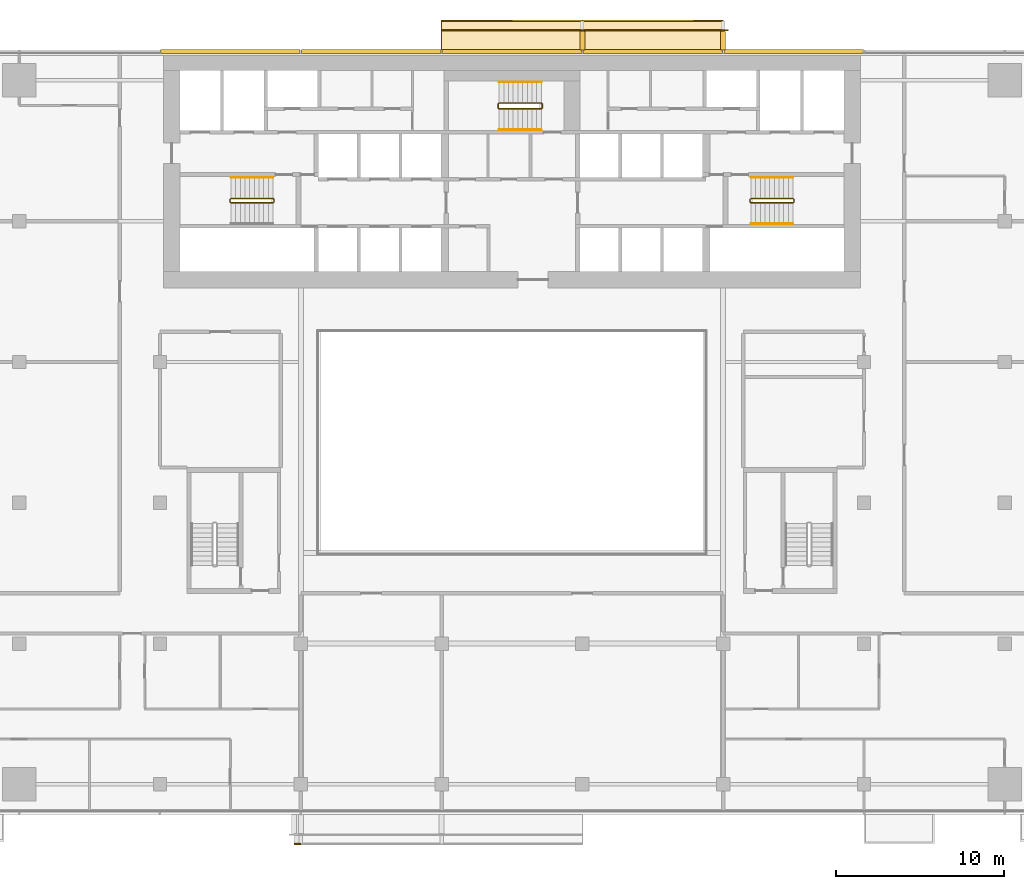
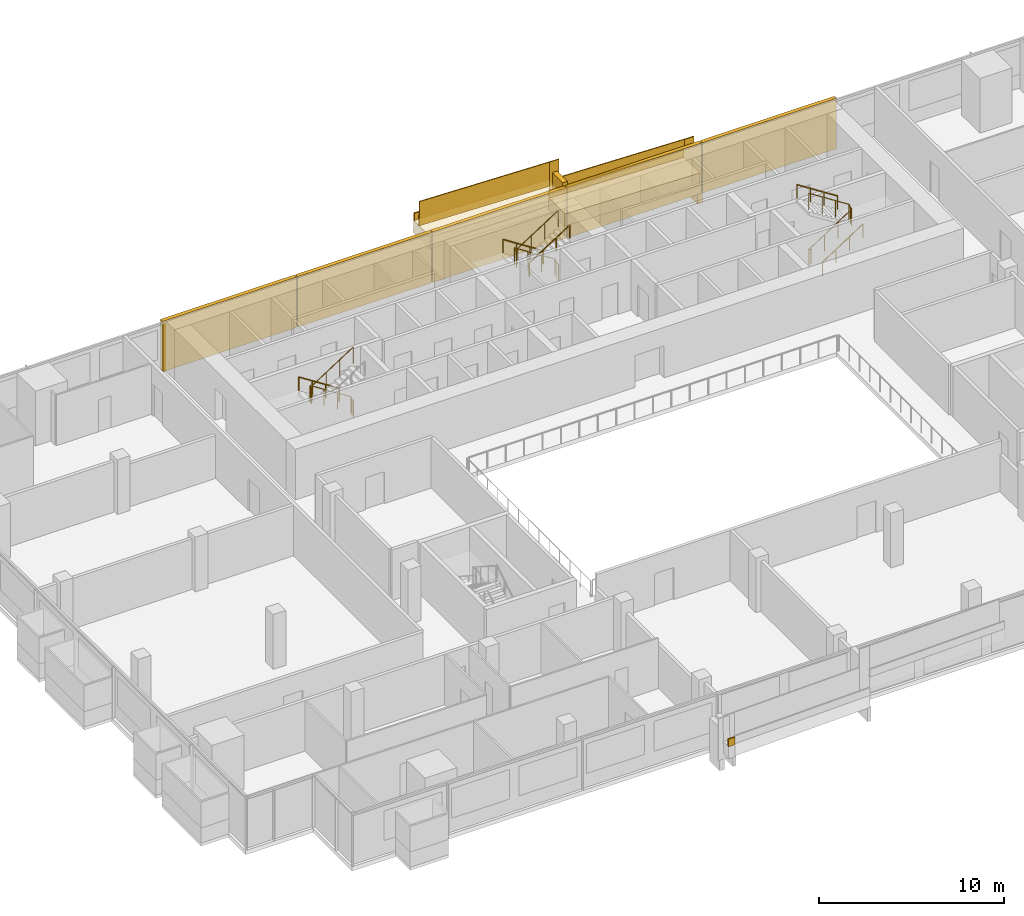
# One storey, part 26 of 26: 12 coverings, 12 railings.
"""IFC4 building model written with IfcOpenShell, lengths in metres."""

from ifc_helpers import new_model, si_unit, direction, frame, origin, origin_2d, place, context, subcontext, project, spatial, polyline, rectangle, circle, outline, extrude, material, layer, layer_set, type_object, element, save


model = new_model("IFC4")

# Units and contexts
model_context = context("Model", 3, precision=1e-05, world=origin(), true_north=direction((0.0, 1.0)))
body_context = subcontext(model_context, "Body", "Model", "MODEL_VIEW")
ifc_project = project(units=[si_unit("LENGTHUNIT", "METRE"), si_unit("AREAUNIT", "SQUARE_METRE"), si_unit("VOLUMEUNIT", "CUBIC_METRE"), si_unit("PLANEANGLEUNIT", "RADIAN"), si_unit("MASSUNIT", "GRAM", prefix="KILO")], contexts=[model_context])

# Site, building, storey
site_placement = place(None, origin())
site = spatial("IfcSite", under=ifc_project, at=site_placement, CompositionType="ELEMENT")
building_placement = place(site_placement, origin())
building = spatial("IfcBuilding", under=site, at=building_placement, Name="Saffron Gate Tower", CompositionType="ELEMENT")
storey_placement = place(building_placement, frame((0.0, 0.0, 98.85009765625)))
storey = spatial("IfcBuildingStorey", under=building, at=storey_placement, Name="L22", CompositionType="ELEMENT", Elevation=98.85009765625)

# Coverings
ifc_material_1 = material(Name="Ceramic-printed bronze insulated panel")
ifc_layer_1 = layer(ifc_material_1, 0.239990234375)
ifc_layer_set_1 = layer_set([ifc_layer_1], Name="CLD2 ceramic-printed cladding panel 240")
covering_type_1 = type_object("IfcCoveringType", Name="CLD2 ceramic-printed cladding panel 240", PredefinedType="CLADDING", material=ifc_layer_set_1)
covering_1_placement = place(storey_placement, origin())
element("IfcCovering", 1, at=covering_1_placement, inside=storey, type_object=covering_type_1, Name="CLADDING ceramic-printed panel", PredefinedType="CLADDING", context=body_context, shape_type="SweptSolid", body=[
    extrude(outline(polyline([(108.56494140625, 75.639892578125), (100.235107421875, 75.639892578125), (100.235107421875, 75.39990234375), (108.56494140625, 75.39990234375), (108.56494140625, 75.639892578125)])), origin(), (0.0, 0.0, 1.0), 3.31982421875),
])
covering_2_placement = place(storey_placement, origin())
element("IfcCovering", 2, at=covering_2_placement, inside=storey, type_object=covering_type_1, Name="CLADDING ceramic-printed panel", PredefinedType="CLADDING", context=body_context, shape_type="SweptSolid", body=[
    extrude(outline(polyline([(100.1650390625, 75.639892578125), (91.8349609375, 75.639892578125), (91.8349609375, 75.39990234375), (100.1650390625, 75.39990234375), (100.1650390625, 75.639892578125)])), origin(), (0.0, 0.0, 1.0), 3.31982421875),
])
covering_3_placement = place(storey_placement, origin())
element("IfcCovering", 3, at=covering_3_placement, inside=storey, type_object=covering_type_1, Name="CLADDING ceramic-printed panel", PredefinedType="CLADDING", context=body_context, shape_type="SweptSolid", body=[
    extrude(outline(polyline([(91.764892578125, 75.639892578125), (83.43505859375, 75.639892578125), (83.43505859375, 75.39990234375), (91.764892578125, 75.39990234375), (91.764892578125, 75.639892578125)])), origin(), (0.0, 0.0, 1.0), 3.31982421875),
])
covering_4_placement = place(storey_placement, origin())
element("IfcCovering", 4, at=covering_4_placement, inside=storey, type_object=covering_type_1, Name="CLADDING ceramic-printed panel", PredefinedType="CLADDING", context=body_context, shape_type="SweptSolid", body=[
    extrude(outline(polyline([(83.364990234375, 75.639892578125), (75.034912109375, 75.639892578125), (75.034912109375, 75.39990234375), (83.364990234375, 75.39990234375), (83.364990234375, 75.639892578125)])), origin(), (0.0, 0.0, 1.0), 3.31982421875),
])
covering_5_placement = place(storey_placement, origin())
element("IfcCovering", 5, at=covering_5_placement, inside=storey, type_object=covering_type_1, Name="CLADDING ceramic-printed panel", PredefinedType="CLADDING", context=body_context, shape_type="SweptSolid", body=[
    extrude(outline(polyline([(74.965087890625, 75.639892578125), (66.635009765625, 75.639892578125), (66.635009765625, 75.39990234375), (74.965087890625, 75.39990234375), (74.965087890625, 75.639892578125)])), origin(), (0.0, 0.0, 1.0), 3.31982421875),
])

# Railings
ifc_material_2 = material(Name="Stainless steel and laminated glass", Category="steel")
railing_type_1 = type_object("IfcRailingType", Name="CR1 Stair guard 1100", PredefinedType="GUARDRAIL", material=ifc_material_2)
railing_1_placement = place(storey_placement, frame((73.39990234375, 66.550048828125, 0.0)))
element("IfcRailing", 6, at=railing_1_placement, inside=storey, type_object=railing_type_1, Name="L22 ST-A stair guard 1", PredefinedType="GUARDRAIL", context=body_context, shape_type="SweptSolid", body=[
    extrude(circle(Radius=0.02392578125, at=origin_2d()), frame((0.0, 0.0, 1.076171875), z_axis=(0.0, 1.0, 0.0), x_axis=(-1.0, 0.0, 0.0)), (0.0, 0.0, 1.0), 0.14990234375),
    extrude(circle(Radius=0.02392578125, at=origin_2d()), frame((0.0, 0.14990234375, 1.076171875), z_axis=(-0.257669022063, 0.258932105505, 0.930892496375), x_axis=(-0.708833529934, -0.705375805398, 0.0)), (0.0, 0.0, 1.0), 0.193359375),
    extrude(circle(Radius=0.02392578125, at=origin_2d()), frame((-0.0498046875, 0.199951171875, 1.255859375), z_axis=(-0.841199657755, 0.0, 0.540724639528), x_axis=(0.0, -1.0, 0.0)), (0.0, 0.0, 1.0), 2.995849609375),
    extrude(circle(Radius=0.02392578125, at=origin_2d()), frame((-2.56982421875, 0.199951171875, 2.8759765625), z_axis=(-0.707106781187, -0.707106781187, 0.0), x_axis=(0.707106781187, -0.707106781187, 0.0)), (0.0, 0.0, 1.0), 0.07080078125),
    extrude(circle(Radius=0.02392578125, at=origin_2d()), frame((-2.619873046875, 0.14990234375, 2.8759765625), z_axis=(0.0, -1.0, 0.0), x_axis=(1.0, 0.0, 0.0)), (0.0, 0.0, 1.0), 0.14990234375),
    extrude(circle(Radius=0.02392578125, at=origin_2d()), frame((-2.619873046875, 0.0, 2.8759765625), z_axis=(0.258543844998, -0.258543844998, 0.930757841991), x_axis=(0.707106781187, 0.707106781187, 0.0)), (0.0, 0.0, 1.0), 0.193603515625),
    extrude(circle(Radius=0.02392578125, at=origin_2d()), frame((-2.56982421875, -0.050048828125, 3.05615234375), z_axis=(0.841199657755, 0.0, 0.540724639528), x_axis=(0.0, 1.0, 0.0)), (0.0, 0.0, 1.0), 2.995849609375),
    extrude(circle(Radius=0.02099609375, at=origin_2d()), origin(), (0.0, 0.0, 1.0), 1.052001953125),
    extrude(circle(Radius=0.02099609375, at=origin_2d()), frame((0.0, 0.14990234375, 0.0)), (0.0, 0.0, 1.0), 1.052001953125),
    extrude(circle(Radius=0.02099609375, at=origin_2d()), frame((-0.0498046875, 0.199951171875, 0.179931640625)), (0.0, 0.0, 1.0), 1.052001953125),
    extrude(circle(Radius=0.02099609375, at=origin_2d()), frame((-0.889892578125, 0.199951171875, 0.719970703125)), (0.0, 0.0, 1.0), 1.052001953125),
    extrude(circle(Radius=0.02099609375, at=origin_2d()), frame((-1.729736328125, 0.199951171875, 1.259765625)), (0.0, 0.0, 1.0), 1.052001953125),
    extrude(circle(Radius=0.02099609375, at=origin_2d()), frame((-2.56982421875, 0.199951171875, 1.7998046875)), (0.0, 0.0, 1.0), 1.052001953125),
    extrude(circle(Radius=0.02099609375, at=origin_2d()), frame((-2.619873046875, 0.14990234375, 1.7998046875)), (0.0, 0.0, 1.0), 1.052001953125),
    extrude(circle(Radius=0.02099609375, at=origin_2d()), frame((-2.619873046875, 0.0, 1.7998046875)), (0.0, 0.0, 1.0), 1.052001953125),
    extrude(circle(Radius=0.02099609375, at=origin_2d()), frame((-2.56982421875, -0.050048828125, 1.97998046875)), (0.0, 0.0, 1.0), 1.052001953125),
    extrude(circle(Radius=0.02099609375, at=origin_2d()), frame((-1.729736328125, -0.050048828125, 2.52001953125)), (0.0, 0.0, 1.0), 1.052001953125),
    extrude(circle(Radius=0.02099609375, at=origin_2d()), frame((-0.889892578125, -0.050048828125, 3.059814453125)), (0.0, 0.0, 1.0), 1.052001953125),
    extrude(circle(Radius=0.02099609375, at=origin_2d()), frame((-0.0498046875, -0.050048828125, 3.599853515625)), (0.0, 0.0, 1.0), 1.052001953125),
])
railing_2_placement = place(storey_placement, frame((101.800048828125, 66.699951171875, 0.0)))
element("IfcRailing", 7, at=railing_2_placement, inside=storey, type_object=railing_type_1, Name="L22 ST-B stair guard 1", PredefinedType="GUARDRAIL", context=body_context, shape_type="SweptSolid", body=[
    extrude(circle(Radius=0.02392578125, at=origin_2d()), frame((0.0, 0.0, 1.076171875), z_axis=(0.0, -1.0, 0.0), x_axis=(1.0, 0.0, 0.0)), (0.0, 0.0, 1.0), 0.14990234375),
    extrude(circle(Radius=0.02392578125, at=origin_2d()), frame((0.0, -0.14990234375, 1.076171875), z_axis=(0.258847668887, -0.258847668887, 0.930588936439), x_axis=(0.707106781187, 0.707106781187, 0.0)), (0.0, 0.0, 1.0), 0.193359375),
    extrude(circle(Radius=0.02392578125, at=origin_2d()), frame((0.050048828125, -0.199951171875, 1.255859375), z_axis=(0.841199657755, 0.0, 0.540724639528), x_axis=(0.0, 1.0, 0.0)), (0.0, 0.0, 1.0), 2.995849609375),
    extrude(circle(Radius=0.02392578125, at=origin_2d()), frame((2.570068359375, -0.199951171875, 2.8759765625), z_axis=(0.705375805398, 0.708833529934, 0.0), x_axis=(-0.708833529934, 0.705375805398, 0.0)), (0.0, 0.0, 1.0), 0.070556640625),
    extrude(circle(Radius=0.02392578125, at=origin_2d()), frame((2.619873046875, -0.14990234375, 2.8759765625), z_axis=(0.0, 1.0, 0.0), x_axis=(-1.0, 0.0, 0.0)), (0.0, 0.0, 1.0), 0.14990234375),
    extrude(circle(Radius=0.02392578125, at=origin_2d()), frame((2.619873046875, 0.0, 2.8759765625), z_axis=(-0.257366384619, 0.258627984543, 0.931060744355), x_axis=(-0.708833529934, -0.705375805398, 0.0)), (0.0, 0.0, 1.0), 0.193603515625),
    extrude(circle(Radius=0.02392578125, at=origin_2d()), frame((2.570068359375, 0.050048828125, 3.05615234375), z_axis=(-0.841199657755, 0.0, 0.540724639528), x_axis=(0.0, -1.0, 0.0)), (0.0, 0.0, 1.0), 2.995849609375),
    extrude(circle(Radius=0.02099609375, at=origin_2d()), origin(), (0.0, 0.0, 1.0), 1.052001953125),
    extrude(circle(Radius=0.02099609375, at=origin_2d()), frame((0.0, -0.14990234375, 0.0)), (0.0, 0.0, 1.0), 1.052001953125),
    extrude(circle(Radius=0.02099609375, at=origin_2d()), frame((0.050048828125, -0.199951171875, 0.179931640625)), (0.0, 0.0, 1.0), 1.052001953125),
    extrude(circle(Radius=0.02099609375, at=origin_2d()), frame((0.89013671875, -0.199951171875, 0.719970703125)), (0.0, 0.0, 1.0), 1.052001953125),
    extrude(circle(Radius=0.02099609375, at=origin_2d()), frame((1.72998046875, -0.199951171875, 1.259765625)), (0.0, 0.0, 1.0), 1.052001953125),
    extrude(circle(Radius=0.02099609375, at=origin_2d()), frame((2.570068359375, -0.199951171875, 1.7998046875)), (0.0, 0.0, 1.0), 1.052001953125),
    extrude(circle(Radius=0.02099609375, at=origin_2d()), frame((2.619873046875, -0.14990234375, 1.7998046875)), (0.0, 0.0, 1.0), 1.052001953125),
    extrude(circle(Radius=0.02099609375, at=origin_2d()), frame((2.619873046875, 0.0, 1.7998046875)), (0.0, 0.0, 1.0), 1.052001953125),
    extrude(circle(Radius=0.02099609375, at=origin_2d()), frame((2.570068359375, 0.050048828125, 1.97998046875)), (0.0, 0.0, 1.0), 1.052001953125),
    extrude(circle(Radius=0.02099609375, at=origin_2d()), frame((1.72998046875, 0.050048828125, 2.52001953125)), (0.0, 0.0, 1.0), 1.052001953125),
    extrude(circle(Radius=0.02099609375, at=origin_2d()), frame((0.89013671875, 0.050048828125, 3.059814453125)), (0.0, 0.0, 1.0), 1.052001953125),
    extrude(circle(Radius=0.02099609375, at=origin_2d()), frame((0.050048828125, 0.050048828125, 3.599853515625)), (0.0, 0.0, 1.0), 1.052001953125),
])
railing_3_placement = place(storey_placement, frame((89.39990234375, 72.14990234375, 0.0)))
element("IfcRailing", 8, at=railing_3_placement, inside=storey, type_object=railing_type_1, Name="L22 ST-C stair guard 1", PredefinedType="GUARDRAIL", context=body_context, shape_type="SweptSolid", body=[
    extrude(circle(Radius=0.02392578125, at=origin_2d()), frame((0.0, 0.0, 1.076171875), z_axis=(0.0, 1.0, 0.0), x_axis=(-1.0, 0.0, 0.0)), (0.0, 0.0, 1.0), 0.25),
    extrude(circle(Radius=0.02392578125, at=origin_2d()), frame((0.0, 0.25, 1.076171875), z_axis=(-0.257669022063, 0.258932105505, 0.930892496375), x_axis=(-0.708833529934, -0.705375805398, 0.0)), (0.0, 0.0, 1.0), 0.193359375),
    extrude(circle(Radius=0.02392578125, at=origin_2d()), frame((-0.0498046875, 0.300048828125, 1.255859375), z_axis=(-0.841199657755, 0.0, 0.540724639528), x_axis=(0.0, -1.0, 0.0)), (0.0, 0.0, 1.0), 2.995849609375),
    extrude(circle(Radius=0.02392578125, at=origin_2d()), frame((-2.56982421875, 0.300048828125, 2.8759765625), z_axis=(-0.707106781187, -0.707106781187, 0.0), x_axis=(0.707106781187, -0.707106781187, 0.0)), (0.0, 0.0, 1.0), 0.07080078125),
    extrude(circle(Radius=0.02392578125, at=origin_2d()), frame((-2.619873046875, 0.25, 2.8759765625), z_axis=(0.0, -1.0, 0.0), x_axis=(1.0, 0.0, 0.0)), (0.0, 0.0, 1.0), 0.25),
    extrude(circle(Radius=0.02392578125, at=origin_2d()), frame((-2.619873046875, 0.0, 2.8759765625), z_axis=(0.258627984543, -0.257366384619, 0.931060744355), x_axis=(0.705375805398, 0.708833529934, 0.0)), (0.0, 0.0, 1.0), 0.193603515625),
    extrude(circle(Radius=0.02392578125, at=origin_2d()), frame((-2.56982421875, -0.0498046875, 3.05615234375), z_axis=(0.841199657755, 0.0, 0.540724639528), x_axis=(0.0, 1.0, 0.0)), (0.0, 0.0, 1.0), 2.995849609375),
    extrude(circle(Radius=0.02099609375, at=origin_2d()), origin(), (0.0, 0.0, 1.0), 1.052001953125),
    extrude(circle(Radius=0.02099609375, at=origin_2d()), frame((0.0, 0.25, 0.0)), (0.0, 0.0, 1.0), 1.052001953125),
    extrude(circle(Radius=0.02099609375, at=origin_2d()), frame((-0.0498046875, 0.300048828125, 0.179931640625)), (0.0, 0.0, 1.0), 1.052001953125),
    extrude(circle(Radius=0.02099609375, at=origin_2d()), frame((-0.889892578125, 0.300048828125, 0.719970703125)), (0.0, 0.0, 1.0), 1.052001953125),
    extrude(circle(Radius=0.02099609375, at=origin_2d()), frame((-1.729736328125, 0.300048828125, 1.259765625)), (0.0, 0.0, 1.0), 1.052001953125),
    extrude(circle(Radius=0.02099609375, at=origin_2d()), frame((-2.56982421875, 0.300048828125, 1.7998046875)), (0.0, 0.0, 1.0), 1.052001953125),
    extrude(circle(Radius=0.02099609375, at=origin_2d()), frame((-2.619873046875, 0.25, 1.7998046875)), (0.0, 0.0, 1.0), 1.052001953125),
    extrude(circle(Radius=0.02099609375, at=origin_2d()), frame((-2.619873046875, 0.0, 1.7998046875)), (0.0, 0.0, 1.0), 1.052001953125),
    extrude(circle(Radius=0.02099609375, at=origin_2d()), frame((-2.56982421875, -0.0498046875, 1.97998046875)), (0.0, 0.0, 1.0), 1.052001953125),
    extrude(circle(Radius=0.02099609375, at=origin_2d()), frame((-1.729736328125, -0.0498046875, 2.52001953125)), (0.0, 0.0, 1.0), 1.052001953125),
    extrude(circle(Radius=0.02099609375, at=origin_2d()), frame((-0.889892578125, -0.0498046875, 3.059814453125)), (0.0, 0.0, 1.0), 1.052001953125),
    extrude(circle(Radius=0.02099609375, at=origin_2d()), frame((-0.0498046875, -0.0498046875, 3.599853515625)), (0.0, 0.0, 1.0), 1.052001953125),
])
ifc_material_3 = material(Name="Stainless steel", Category="steel")
railing_type_2 = type_object("IfcRailingType", Name="CR2 Stair handrail 900", PredefinedType="HANDRAIL", material=ifc_material_3)
railing_4_placement = place(storey_placement, frame((73.35009765625, 68.0, 0.179931640625)))
element("IfcRailing", 9, at=railing_4_placement, inside=storey, type_object=railing_type_2, Name="L22 ST-A stair handrail 1", PredefinedType="HANDRAIL", context=body_context, shape_type="SweptSolid", body=[
    extrude(circle(Radius=0.02392578125, at=origin_2d()), frame((0.0, 0.0, 0.8759765625), z_axis=(-0.841199657755, 0.0, 0.540724639528), x_axis=(0.0, -1.0, 0.0)), (0.0, 0.0, 1.0), 2.995849609375),
    extrude(circle(Radius=0.02099609375, at=origin_2d()), origin(), (0.0, 0.0, 1.0), 0.851806640625),
    extrude(circle(Radius=0.02099609375, at=origin_2d()), frame((-0.840087890625, 0.0, 0.5400390625)), (0.0, 0.0, 1.0), 0.851806640625),
    extrude(circle(Radius=0.02099609375, at=origin_2d()), frame((-1.679931640625, 0.0, 1.079833984375)), (0.0, 0.0, 1.0), 0.851806640625),
    extrude(circle(Radius=0.02099609375, at=origin_2d()), frame((-2.52001953125, 0.0, 1.619873046875)), (0.0, 0.0, 1.0), 0.851806640625),
])
railing_5_placement = place(storey_placement, frame((101.85009765625, 65.25, 0.179931640625)))
element("IfcRailing", 10, at=railing_5_placement, inside=storey, type_object=railing_type_2, Name="L22 ST-B stair handrail 1", PredefinedType="HANDRAIL", context=body_context, shape_type="SweptSolid", body=[
    extrude(circle(Radius=0.02392578125, at=origin_2d()), frame((0.0, 0.0, 0.8759765625), z_axis=(0.841199657755, 0.0, 0.540724639528), x_axis=(0.0, 1.0, 0.0)), (0.0, 0.0, 1.0), 2.995849609375),
    extrude(circle(Radius=0.02099609375, at=origin_2d()), origin(), (0.0, 0.0, 1.0), 0.851806640625),
    extrude(circle(Radius=0.02099609375, at=origin_2d()), frame((0.840087890625, 0.0, 0.5400390625)), (0.0, 0.0, 1.0), 0.851806640625),
    extrude(circle(Radius=0.02099609375, at=origin_2d()), frame((1.679931640625, 0.0, 1.079833984375)), (0.0, 0.0, 1.0), 0.851806640625),
    extrude(circle(Radius=0.02099609375, at=origin_2d()), frame((2.52001953125, 0.0, 1.619873046875)), (0.0, 0.0, 1.0), 0.851806640625),
])
for number, where, name in (
    (11, (104.3701171875, 68.0, 1.97998046875), "L22 ST-B stair handrail 2"),
    (12, (89.35009765625, 73.699951171875, 0.179931640625), "L22 ST-C stair handrail 1"),
):
    element("IfcRailing", number, at=place(storey_placement, frame(where)), inside=storey, type_object=railing_type_2, Name=name, PredefinedType="HANDRAIL", context=body_context, shape_type="SweptSolid", body=[
        extrude(circle(Radius=0.02392578125, at=origin_2d()), frame((0.0, 0.0, 0.8759765625), z_axis=(-0.841199657755, 0.0, 0.540724639528), x_axis=(0.0, -1.0, 0.0)), (0.0, 0.0, 1.0), 2.995849609375),
        extrude(circle(Radius=0.02099609375, at=origin_2d()), origin(), (0.0, 0.0, 1.0), 0.851806640625),
        extrude(circle(Radius=0.02099609375, at=origin_2d()), frame((-0.840087890625, 0.0, 0.5400390625)), (0.0, 0.0, 1.0), 0.851806640625),
        extrude(circle(Radius=0.02099609375, at=origin_2d()), frame((-1.679931640625, 0.0, 1.079833984375)), (0.0, 0.0, 1.0), 0.851806640625),
        extrude(circle(Radius=0.02099609375, at=origin_2d()), frame((-2.52001953125, 0.0, 1.619873046875)), (0.0, 0.0, 1.0), 0.851806640625),
    ])
railing_6_placement = place(storey_placement, frame((86.830078125, 70.85009765625, 1.97998046875)))
element("IfcRailing", 13, at=railing_6_placement, inside=storey, type_object=railing_type_2, Name="L22 ST-C stair handrail 2", PredefinedType="HANDRAIL", context=body_context, shape_type="SweptSolid", body=[
    extrude(circle(Radius=0.02392578125, at=origin_2d()), frame((0.0, 0.0, 0.8759765625), z_axis=(0.841199657755, 0.0, 0.540724639528), x_axis=(0.0, 1.0, 0.0)), (0.0, 0.0, 1.0), 2.995849609375),
    extrude(circle(Radius=0.02099609375, at=origin_2d()), origin(), (0.0, 0.0, 1.0), 0.851806640625),
    extrude(circle(Radius=0.02099609375, at=origin_2d()), frame((0.840087890625, 0.0, 0.5400390625)), (0.0, 0.0, 1.0), 0.851806640625),
    extrude(circle(Radius=0.02099609375, at=origin_2d()), frame((1.679931640625, 0.0, 1.079833984375)), (0.0, 0.0, 1.0), 0.851806640625),
    extrude(circle(Radius=0.02099609375, at=origin_2d()), frame((2.52001953125, 0.0, 1.619873046875)), (0.0, 0.0, 1.0), 0.851806640625),
])

# Coverings
ifc_material_4 = material(Name="Timber, thermally modified ash", Category="wood")
ifc_layer_2 = layer(ifc_material_4, 0.800048828125)
ifc_layer_set_2 = layer_set([ifc_layer_2], Name="LD1 ledge timber")
covering_type_2 = type_object("IfcCoveringType", Name="LD1 ledge timber", PredefinedType="CLADDING", material=ifc_layer_set_2)
covering_6_placement = place(storey_placement, frame((100.199951171875, 75.60009765625, 1.21484375), z_axis=(0.028791175352, 0.0, 0.999585448184), x_axis=(-0.999585448184, 0.0, 0.028791175352)))
element("IfcCovering", 14, at=covering_6_placement, inside=storey, type_object=covering_type_2, Name="LEDGE", PredefinedType="CLADDING", context=body_context, shape_type="SweptSolid", body=[
    extrude(outline(polyline([(0.0, 0.0), (8.403385982666892, 0.0), (8.403385982666892, -1.7998046875), (0.0, -1.7998046875), (0.0, 0.0)])), origin(), (0.0, 0.0, -1.0), 0.800048828125),
])
covering_7_placement = place(storey_placement, frame((91.800048828125, 75.60009765625, 2.6572265625), z_axis=(0.028790339263, 0.0, 0.999585472266), x_axis=(-0.999585472266, 0.0, 0.028790339263)))
element("IfcCovering", 15, at=covering_7_placement, inside=storey, type_object=covering_type_2, Name="LEDGE", PredefinedType="CLADDING", context=body_context, shape_type="SweptSolid", body=[
    extrude(outline(polyline([(0.0, 0.0), (8.403630022085892, 0.0), (8.403630022085892, -1.7998046875), (0.0, -1.7998046875), (0.0, 0.0)])), origin(), (0.0, 0.0, -1.0), 0.800048828125),
])
ifc_layer_3 = layer(ifc_material_4, 0.080078125)
ifc_layer_set_3 = layer_set([ifc_layer_3], Name="LD2 ledge planter trough")
covering_type_3 = type_object("IfcCoveringType", Name="LD2 ledge planter trough", PredefinedType="CLADDING", material=ifc_layer_set_3)
covering_8_placement = place(storey_placement, frame((74.60009765625, 28.199951171875, 1.146240234375), z_axis=(0.0, -1.0, 0.0), x_axis=(0.999588594726, 0.0, 0.028681724025)))
element("IfcCovering", 16, at=covering_8_placement, inside=storey, type_object=covering_type_3, Name="LEDGE planter trough", PredefinedType="CLADDING", context=body_context, shape_type="SweptSolid", body=[
    extrude(outline(polyline([(0.0, 0.0), (0.40006693339621563, 0.0), (0.4144077954084678, 0.4997942973631708), (0.014340862012252152, 0.49979429736317077), (0.0, 0.0)])), origin(), (0.0, 0.0, -1.0), 0.080078125),
])
covering_9_placement = place(storey_placement, frame((100.199951171875, 77.39990234375, 1.21484375), z_axis=(0.0, 1.0, 0.0), x_axis=(-0.999585448184, 0.0, 0.028791175352)))
element("IfcCovering", 17, at=covering_9_placement, inside=storey, type_object=covering_type_3, Name="LEDGE planter trough", PredefinedType="CLADDING", context=body_context, shape_type="SweptSolid", body=[
    extrude(outline(polyline([(0.0, 0.0), (8.403385982666892, 0.0), (8.417781570342743, 0.49979272409216496), (0.014395587675851172, 0.4997927240921649), (0.0, 0.0)])), origin(), (0.0, 0.0, -1.0), 0.080078125),
])
covering_10_placement = place(storey_placement, frame((91.800048828125, 77.39990234375, 2.6572265625), z_axis=(0.0, 1.0, 0.0), x_axis=(-0.999585472266, 0.0, 0.028790339263)))
element("IfcCovering", 18, at=covering_10_placement, inside=storey, type_object=covering_type_3, Name="LEDGE planter trough", PredefinedType="CLADDING", context=body_context, shape_type="SweptSolid", body=[
    extrude(outline(polyline([(0.0, 0.0), (8.403630022085892, 0.0), (8.418025191717298, 0.4997927361329725), (0.014395169631405694, 0.4997927361329725), (0.0, 0.0)])), origin(), (0.0, 0.0, -1.0), 0.080078125),
])
ifc_layer_4 = layer(ifc_material_4, 0.300048828125)
ifc_layer_set_4 = layer_set([ifc_layer_4], Name="LD3 ledge riser fin")
covering_type_4 = type_object("IfcCoveringType", Name="LD3 ledge riser fin", PredefinedType="CLADDING", material=ifc_layer_set_4)
for number, where, z_axis, x_axis, name in (
    (19, (100.199951171875, 76.159912109375, -0.78564453125), (0.0, 0.0, 1.0), (-1.0, 0.0, 0.0), "LEDGE riser fin"),
    (20, (91.800048828125, 76.159912109375, 0.65673828125), (0.0, 0.0, 1.0), (-1.0, 0.0, 0.0), "LEDGE riser fin"),
):
    element("IfcCovering", number, at=place(storey_placement, frame(where, z_axis=z_axis, x_axis=x_axis)), inside=storey, type_object=covering_type_4, Name=name, PredefinedType="CLADDING", context=body_context, shape_type="SweptSolid", body=[
        extrude(rectangle(XDim=0.300048828125, YDim=1.1201171875, at=origin_2d()), origin(), (0.0, 0.0, 1.0), 2.900390625),
    ])

# Railings
railing_type_3 = type_object("IfcRailingType", Name="LG1 ledge balustrade", PredefinedType="BALUSTRADE", material=ifc_material_4)
railing_7_placement = place(storey_placement, frame((100.199951171875, 76.800048828125, 1.21484375)))
element("IfcRailing", 21, at=railing_7_placement, inside=storey, type_object=railing_type_3, Name="LEDGE BALUSTRADE", PredefinedType="BALUSTRADE", context=body_context, shape_type="SweptSolid", body=[
    extrude(rectangle(XDim=0.06005859375, YDim=1.60009765625, at=origin_2d()), frame((0.0, 0.0, 0.800048828125), z_axis=(-0.999585448184, 0.0, 0.028791175352), x_axis=(0.0, -1.0, 0.0)), (0.0, 0.0, 1.0), 8.4033203125),
])
railing_8_placement = place(storey_placement, frame((100.5, 76.800048828125, 0.014404296875)))
element("IfcRailing", 22, at=railing_8_placement, inside=storey, type_object=railing_type_3, Name="LEDGE BALUSTRADE", PredefinedType="BALUSTRADE", context=body_context, shape_type="SweptSolid", body=[
    extrude(rectangle(XDim=0.06005859375, YDim=2.80029296875, at=origin_2d()), frame((0.0, 0.0, 1.400146484375), z_axis=(-1.0, 0.0, 0.0), x_axis=(0.0, -1.0, 0.0)), (0.0, 0.0, 1.0), 0.60009765625),
])
railing_9_placement = place(storey_placement, frame((91.800048828125, 76.800048828125, 2.6572265625)))
element("IfcRailing", 23, at=railing_9_placement, inside=storey, type_object=railing_type_3, Name="LEDGE BALUSTRADE", PredefinedType="BALUSTRADE", context=body_context, shape_type="SweptSolid", body=[
    extrude(rectangle(XDim=0.06005859375, YDim=1.60009765625, at=origin_2d()), frame((0.0, 0.0, 0.800048828125), z_axis=(-0.999585472266, 0.0, 0.028790339263), x_axis=(0.0, -1.0, 0.0)), (0.0, 0.0, 1.0), 8.403564453125),
])
railing_10_placement = place(storey_placement, frame((92.10009765625, 76.800048828125, 1.456787109375)))
element("IfcRailing", 24, at=railing_10_placement, inside=storey, type_object=railing_type_3, Name="LEDGE BALUSTRADE", PredefinedType="BALUSTRADE", context=body_context, shape_type="SweptSolid", body=[
    extrude(rectangle(XDim=0.06005859375, YDim=2.80029296875, at=origin_2d()), frame((0.0, 0.0, 1.400146484375), z_axis=(-1.0, 0.0, 0.0), x_axis=(0.0, -1.0, 0.0)), (0.0, 0.0, 1.0), 0.60009765625),
])

save(model, "model.ifc")
